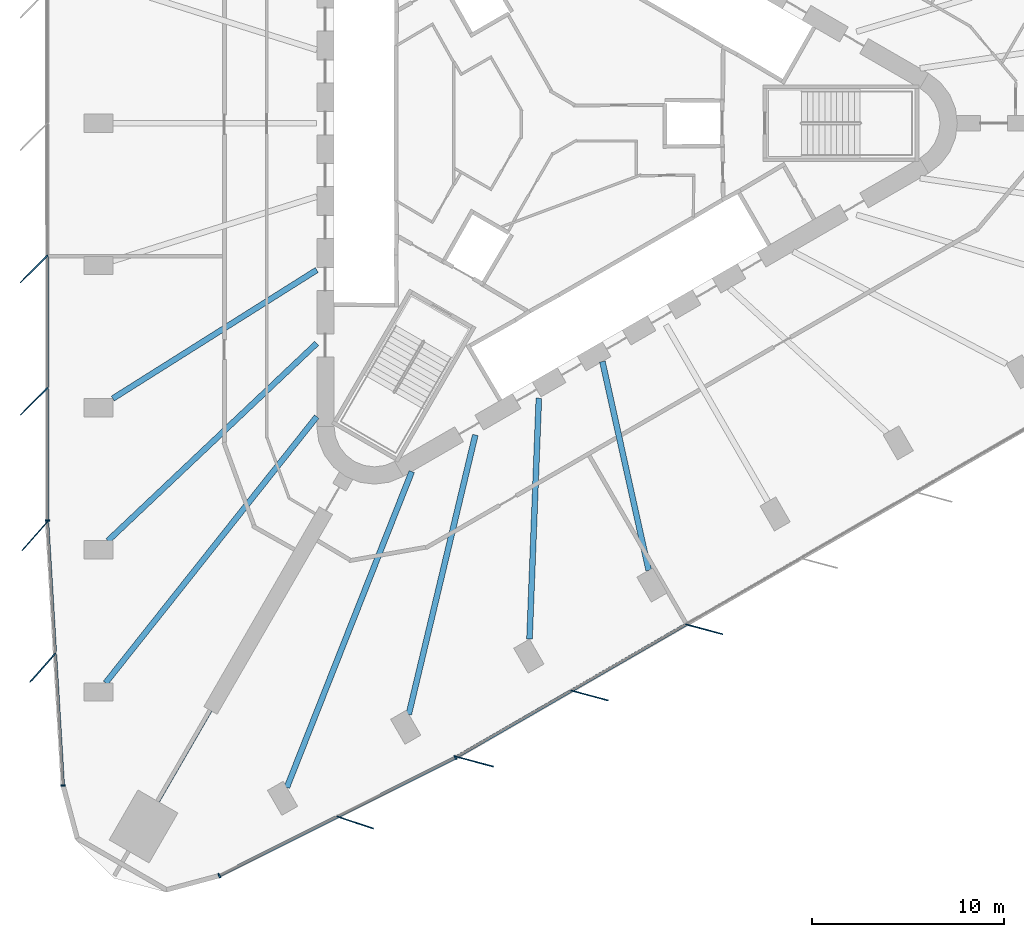
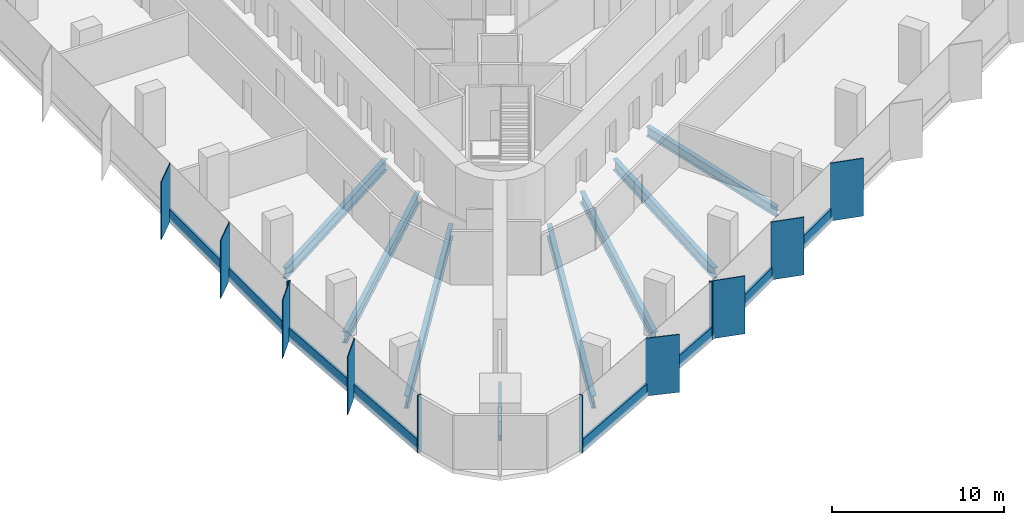
# One storey, part 2 of 14: 20 members, 8 beams, 4 elements without a shape of their own.
"""IFC4 building model written with IfcOpenShell, lengths in metres."""

from ifc_helpers import new_model, si_unit, direction, frame, origin, origin_2d, place, context, subcontext, project, spatial, rectangle, i_section, extrude, material, material_profile, profile_set, type_object, element, aggregate, save


model = new_model("IFC4")

# Units and contexts
model_context = context("Model", 3, precision=1e-05, world=origin(), true_north=direction((0.0, 1.0)))
body_context = subcontext(model_context, "Body", "Model", "MODEL_VIEW")
ifc_project = project(units=[si_unit("LENGTHUNIT", "METRE"), si_unit("AREAUNIT", "SQUARE_METRE"), si_unit("VOLUMEUNIT", "CUBIC_METRE"), si_unit("PLANEANGLEUNIT", "RADIAN"), si_unit("MASSUNIT", "GRAM", prefix="KILO")], contexts=[model_context])

# Site, building, storey
site_placement = place(None, origin())
site = spatial("IfcSite", under=ifc_project, at=site_placement, CompositionType="ELEMENT")
building_placement = place(site_placement, origin())
building = spatial("IfcBuilding", under=site, at=building_placement, Name="Tanit Gate Tower", CompositionType="ELEMENT")
storey_placement = place(building_placement, frame((0.0, 0.0, 49.60009765625)))
storey = spatial("IfcBuildingStorey", under=building, at=storey_placement, Name="L08", CompositionType="ELEMENT", Elevation=49.60009765625)

# Curtain wall, members
ifc_material_1 = material(Name="Aluminium bronze anodised and glass", Category="aluminium")
curtain_wall_type = type_object("IfcCurtainWallType", Name="Curtain wall typical low", PredefinedType="NOTDEFINED", material=ifc_material_1)
curtain_wall_1_placement = place(storey_placement, origin())
curtain_wall_1 = element("IfcCurtainWall", 1, at=curtain_wall_1_placement, inside=storey, type_object=curtain_wall_type, Name="Curtain wall L08 W2", PredefinedType="NOTDEFINED")
ifc_material_2 = material(Name="Aluminium bronze anodised", Category="aluminium")
ifc_material_profile_1 = material_profile(ifc_material_2, rectangle(XDim=2.0, YDim=0.055908203125, at=origin_2d()), Name="56x2000 bronze fin mullion")
ifc_profile_set_1 = profile_set([ifc_material_profile_1], Name="Aluminium bronze anodised")
member_type_1 = type_object("IfcMemberType", Name="FIN MULLION 56x2000 bronze", PredefinedType="MULLION", material=ifc_profile_set_1)
member_1_placement = place(storey_placement, frame((-26.799072265625, -7.572998046875, -0.300048828125), z_axis=(0.0, 0.0, 1.0), x_axis=(0.707057749571, 0.707155809403, 0.0)))
member_1 = element("IfcMember", 2, at=member_1_placement, type_object=member_type_1, Name="Fin mullion L08 W2.5", PredefinedType="MULLION", context=body_context, shape_type="SweptSolid", body=[
    extrude(rectangle(XDim=2.0, YDim=0.055908203125, at=origin_2d()), origin(), (0.0, 0.0, 1.0), 4.099853515625),
])
member_2_placement = place(storey_placement, frame((-26.798583984375, -14.45458984375, -0.300048828125), z_axis=(0.0, 0.0, 1.0), x_axis=(0.707057749571, 0.707155809403, 0.0)))
member_2 = element("IfcMember", 3, at=member_2_placement, type_object=member_type_1, Name="Fin mullion L08 W2.6", PredefinedType="MULLION", context=body_context, shape_type="SweptSolid", body=[
    extrude(rectangle(XDim=2.0, YDim=0.055908203125, at=origin_2d()), origin(), (0.0, 0.0, 1.0), 4.099853515625),
])

curtain_wall_2_placement = place(storey_placement, origin())
curtain_wall_2 = element("IfcCurtainWall", 4, at=curtain_wall_2_placement, inside=storey, type_object=curtain_wall_type, Name="Curtain wall L08 W3", PredefinedType="NOTDEFINED")
member_3_placement = place(storey_placement, frame((-26.753173828125, -21.456298828125, -0.300048828125), z_axis=(0.0, 0.0, 1.0), x_axis=(0.663702749837, 0.747996430378, 0.0)))
member_3 = element("IfcMember", 5, at=member_3_placement, type_object=member_type_1, Name="Fin mullion L08 W3.1", PredefinedType="MULLION", context=body_context, shape_type="SweptSolid", body=[
    extrude(rectangle(XDim=2.0, YDim=0.055908203125, at=origin_2d()), origin(), (0.0, 0.0, 1.0), 4.099853515625),
])
member_4_placement = place(storey_placement, frame((-26.34423828125, -28.3046875, -0.300048828125), z_axis=(0.0, 0.0, 1.0), x_axis=(0.663702749837, 0.747996430378, 0.0)))
member_4 = element("IfcMember", 6, at=member_4_placement, type_object=member_type_1, Name="Fin mullion L08 W3.2", PredefinedType="MULLION", context=body_context, shape_type="SweptSolid", body=[
    extrude(rectangle(XDim=2.0, YDim=0.055908203125, at=origin_2d()), origin(), (0.0, 0.0, 1.0), 4.099853515625),
])

# Curtain wall, member
curtain_wall_3_placement = place(storey_placement, origin())
curtain_wall_3 = element("IfcCurtainWall", 7, at=curtain_wall_3_placement, inside=storey, type_object=curtain_wall_type, Name="Curtain wall L08 SE1", PredefinedType="NOTDEFINED")
member_5_placement = place(storey_placement, frame((-10.103759765625, -36.35009765625, -0.300048828125), z_axis=(0.0, 0.0, 1.0), x_axis=(-0.94871615191, 0.316129187366, 0.0)))
member_5 = element("IfcMember", 8, at=member_5_placement, type_object=member_type_1, Name="Fin mullion L08 SE1.2", PredefinedType="MULLION", context=body_context, shape_type="SweptSolid", body=[
    extrude(rectangle(XDim=2.0, YDim=0.055908203125, at=origin_2d()), origin(), (0.0, 0.0, 1.0), 4.099853515625),
])

# Curtain wall, members
curtain_wall_4_placement = place(storey_placement, origin())
curtain_wall_4 = element("IfcCurtainWall", 9, at=curtain_wall_4_placement, inside=storey, type_object=curtain_wall_type, Name="Curtain wall L08 SE2", PredefinedType="NOTDEFINED")
member_6_placement = place(storey_placement, frame((-3.88037109375, -33.187255859375, -0.300048828125), z_axis=(0.0, 0.0, 1.0), x_axis=(-0.965943770162, 0.25875206837, 0.0)))
member_6 = element("IfcMember", 10, at=member_6_placement, type_object=member_type_1, Name="Fin mullion L08 SE2.1", PredefinedType="MULLION", context=body_context, shape_type="SweptSolid", body=[
    extrude(rectangle(XDim=2.0, YDim=0.055908203125, at=origin_2d()), origin(), (0.0, 0.0, 1.0), 4.099853515625),
])
member_7_placement = place(storey_placement, frame((2.0791015625, -29.74609375, -0.300048828125), z_axis=(0.0, 0.0, 1.0), x_axis=(-0.965943770162, 0.25875206837, 0.0)))
member_7 = element("IfcMember", 11, at=member_7_placement, type_object=member_type_1, Name="Fin mullion L08 SE2.2", PredefinedType="MULLION", context=body_context, shape_type="SweptSolid", body=[
    extrude(rectangle(XDim=2.0, YDim=0.055908203125, at=origin_2d()), origin(), (0.0, 0.0, 1.0), 4.099853515625),
])
member_8_placement = place(storey_placement, frame((8.038818359375, -26.3046875, -0.300048828125), z_axis=(0.0, 0.0, 1.0), x_axis=(-0.965943770162, 0.25875206837, 0.0)))
member_8 = element("IfcMember", 12, at=member_8_placement, type_object=member_type_1, Name="Fin mullion L08 SE2.3", PredefinedType="MULLION", context=body_context, shape_type="SweptSolid", body=[
    extrude(rectangle(XDim=2.0, YDim=0.055908203125, at=origin_2d()), origin(), (0.0, 0.0, 1.0), 4.099853515625),
])

# Member
ifc_material_3 = material(Name="Aluminium bronze anodised", Category="aluminium")
ifc_material_profile_2 = material_profile(ifc_material_3, rectangle(XDim=0.239990234375, YDim=0.080078125, at=origin_2d()), Name="80x240 bronze mullion")
ifc_profile_set_2 = profile_set([ifc_material_profile_2], Name="Aluminium bronze anodised")
member_type_2 = type_object("IfcMemberType", Name="Mullion 80x240 typical low", PredefinedType="MULLION", material=ifc_profile_set_2)
member_9_placement = place(storey_placement, frame((-26.10693359375, -20.645263671875, -0.300048828125), z_axis=(0.0, 0.0, 1.0), x_axis=(0.999999997596, 6.9338772e-05, 0.0)))
member_9 = element("IfcMember", 13, at=member_9_placement, type_object=member_type_2, Name="Mullion L08 W2.7", PredefinedType="MULLION", context=body_context, shape_type="SweptSolid", body=[
    extrude(rectangle(XDim=0.239990234375, YDim=0.080078125, at=origin_2d()), origin(), (0.0, 0.0, 1.0), 4.099853515625),
])

member_10_placement = place(storey_placement, frame((-25.28662109375, -34.422119140625, -0.300048828125), z_axis=(0.0, 0.0, 1.0), x_axis=(0.998222063326, 0.059604633121, 0.0)))
member_10 = element("IfcMember", 14, at=member_10_placement, type_object=member_type_2, Name="Mullion L08 W3.3", PredefinedType="MULLION", context=body_context, shape_type="SweptSolid", body=[
    extrude(rectangle(XDim=0.239990234375, YDim=0.080078125, at=origin_2d()), origin(), (0.0, 0.0, 1.0), 4.099853515625),
])

member_11_placement = place(storey_placement, frame((-17.167236328125, -39.110107421875, -0.300048828125), z_axis=(0.0, 0.0, 1.0), x_axis=(-0.44730653232, 0.894380716554, 0.0)))
member_11 = element("IfcMember", 15, at=member_11_placement, type_object=member_type_2, Name="Mullion L08 SE1.1", PredefinedType="MULLION", context=body_context, shape_type="SweptSolid", body=[
    extrude(rectangle(XDim=0.239990234375, YDim=0.080078125, at=origin_2d()), origin(), (0.0, 0.0, 1.0), 4.099853515625),
])

member_12_placement = place(storey_placement, frame((-4.894775390625, -32.972412109375, -0.300048828125), z_axis=(0.0, 0.0, 1.0), x_axis=(-0.44730653232, 0.894380716554, 0.0)))
member_12 = element("IfcMember", 16, at=member_12_placement, type_object=member_type_2, Name="Mullion L08 SE1.3", PredefinedType="MULLION", context=body_context, shape_type="SweptSolid", body=[
    extrude(rectangle(XDim=0.239990234375, YDim=0.080078125, at=origin_2d()), origin(), (0.0, 0.0, 1.0), 4.099853515625),
])

# Beams
ifc_material_4 = material(Name="Steel S355", Category="steel")
ifc_material_profile_3 = material_profile(ifc_material_4, i_section(OverallWidth=0.300048828125, OverallDepth=0.68994140625, WebThickness=0.014404296875, FlangeThickness=0.027099609375, FilletRadius=0.027099609375, at=origin_2d()), Name="HEA 700")
ifc_profile_set_3 = profile_set([ifc_material_profile_3], Name="Steel S355")
beam_type_1 = type_object("IfcBeamType", Name="RADIAL GIRDER HEA 700 S355", PredefinedType="BEAM", material=ifc_profile_set_3)
beam_1_placement = place(storey_placement, frame((5.1552734375, -23.2392578125, -0.64501953125), z_axis=(-0.216567644873, 0.976267614537, 0.0), x_axis=(-0.976267614537, -0.216567644873, 0.0)))
element("IfcBeam", 17, at=beam_1_placement, inside=storey, type_object=beam_type_1, Name="RADIAL GIRDER", PredefinedType="BEAM", context=body_context, shape_type="SweptSolid", body=[
    extrude(i_section(OverallWidth=0.300048828125, OverallDepth=0.68994140625, WebThickness=0.014404296875, FlangeThickness=0.027099609375, FilletRadius=0.027099609375, at=origin_2d()), origin(), (0.0, 0.0, 1.0), 11.115234375),
])
ifc_material_5 = material(Name="Steel S355", Category="steel")
ifc_material_profile_4 = material_profile(ifc_material_5, i_section(OverallWidth=0.300048828125, OverallDepth=0.7900390625, WebThickness=0.014892578125, FlangeThickness=0.028076171875, FilletRadius=0.030029296875, at=origin_2d()), Name="HEA 800")
ifc_profile_set_4 = profile_set([ifc_material_profile_4], Name="Steel S355")
beam_type_2 = type_object("IfcBeamType", Name="RADIAL GIRDER HEA 800 S355", PredefinedType="BEAM", material=ifc_profile_set_4)
beam_2_placement = place(storey_placement, frame((-22.703369140625, -14.310302734375, -0.695068359375), z_axis=(0.845964004255, 0.533240005537, 0.0), x_axis=(-0.533240005537, 0.845964004255, 0.0)))
element("IfcBeam", 18, at=beam_2_placement, inside=storey, type_object=beam_type_2, Name="RADIAL GIRDER", PredefinedType="BEAM", context=body_context, shape_type="SweptSolid", body=[
    extrude(i_section(OverallWidth=0.300048828125, OverallDepth=0.7900390625, WebThickness=0.014892578125, FlangeThickness=0.028076171875, FilletRadius=0.030029296875, at=origin_2d()), origin(), (0.0, 0.0, 1.0), 12.53173828125),
])
beam_3_placement = place(storey_placement, frame((-22.950927734375, -21.69921875, -0.695068359375), z_axis=(0.726639827007, 0.687018603683, 0.0), x_axis=(-0.687018603683, 0.726639827007, 0.0)))
element("IfcBeam", 19, at=beam_3_placement, inside=storey, type_object=beam_type_2, Name="RADIAL GIRDER", PredefinedType="BEAM", context=body_context, shape_type="SweptSolid", body=[
    extrude(i_section(OverallWidth=0.300048828125, OverallDepth=0.7900390625, WebThickness=0.014892578125, FlangeThickness=0.028076171875, FilletRadius=0.030029296875, at=origin_2d()), origin(), (0.0, 0.0, 1.0), 14.93017578125),
])
beam_4_placement = place(storey_placement, frame((-7.316650390625, -30.725830078125, -0.695068359375), z_axis=(0.231658845557, 0.972797090495, 0.0), x_axis=(-0.972797090495, 0.231658845557, 0.0)))
element("IfcBeam", 20, at=beam_4_placement, inside=storey, type_object=beam_type_2, Name="RADIAL GIRDER", PredefinedType="BEAM", context=body_context, shape_type="SweptSolid", body=[
    extrude(i_section(OverallWidth=0.300048828125, OverallDepth=0.7900390625, WebThickness=0.014892578125, FlangeThickness=0.028076171875, FilletRadius=0.030029296875, at=origin_2d()), origin(), (0.0, 0.0, 1.0), 14.930419921875),
])
beam_5_placement = place(storey_placement, frame((-1.041259765625, -26.81689453125, -0.695068359375), z_axis=(0.038788513733, 0.99924744243, 0.0), x_axis=(-0.99924744243, 0.038788513733, 0.0)))
element("IfcBeam", 21, at=beam_5_placement, inside=storey, type_object=beam_type_2, Name="RADIAL GIRDER", PredefinedType="BEAM", context=body_context, shape_type="SweptSolid", body=[
    extrude(i_section(OverallWidth=0.300048828125, OverallDepth=0.7900390625, WebThickness=0.014892578125, FlangeThickness=0.028076171875, FilletRadius=0.030029296875, at=origin_2d()), origin(), (0.0, 0.0, 1.0), 12.53173828125),
])
ifc_material_6 = material(Name="Steel S355", Category="steel")
ifc_material_profile_5 = material_profile(ifc_material_6, i_section(OverallWidth=0.300048828125, OverallDepth=0.889892578125, WebThickness=0.01611328125, FlangeThickness=0.030029296875, FilletRadius=0.030029296875, at=origin_2d()), Name="HEA 900")
ifc_profile_set_5 = profile_set([ifc_material_profile_5], Name="Steel S355")
beam_type_3 = type_object("IfcBeamType", Name="RADIAL GIRDER HEA 900 S355", PredefinedType="BEAM", material=ifc_profile_set_5)
for number, where, z_axis, x_axis, name in (
    (22, (-23.07666015625, -29.0908203125, -0.7451171875), (0.621472845829, 0.783435703742, 0.0), (-0.783435703742, 0.621472845829, 0.0), "RADIAL GIRDER"),
    (23, (-13.655029296875, -34.5302734375, -0.7451171875), (0.36773841244, 0.929929276889, 0.0), (-0.929929276889, 0.36773841244, 0.0), "RADIAL GIRDER"),
):
    element("IfcBeam", number, at=place(storey_placement, frame(where, z_axis=z_axis, x_axis=x_axis)), inside=storey, type_object=beam_type_3, Name=name, PredefinedType="BEAM", context=body_context, shape_type="SweptSolid", body=[
        extrude(i_section(OverallWidth=0.300048828125, OverallDepth=0.889892578125, WebThickness=0.01611328125, FlangeThickness=0.030029296875, FilletRadius=0.030029296875, at=origin_2d()), origin(), (0.0, 0.0, 1.0), 17.658935546875),
    ])
ifc_material_7 = material(Name="Steel S355", Category="steel")
ifc_material_profile_6 = material_profile(ifc_material_7, i_section(OverallWidth=0.179931640625, OverallDepth=0.39990234375, WebThickness=0.008544921875, FlangeThickness=0.013427734375, FilletRadius=0.02099609375, at=origin_2d()), Name="IPE 400")
ifc_profile_set_6 = profile_set([ifc_material_profile_6], Name="Steel S355")
beam_type_4 = type_object("IfcBeamType", Name="RADIAL GIRDER IPE 400 S355", PredefinedType="BEAM", material=ifc_profile_set_6)
beam_6_placement = place(storey_placement, frame((-20.355712890625, -35.257080078125, -0.5), z_axis=(0.500017734461, 0.866015164547, 0.0), x_axis=(-0.866015164547, 0.500017734461, 0.0)))
element("IfcBeam", 24, at=beam_6_placement, inside=storey, type_object=beam_type_4, Name="RADIAL GIRDER", PredefinedType="BEAM", context=body_context, shape_type="SweptSolid", body=[
    extrude(i_section(OverallWidth=0.179931640625, OverallDepth=0.39990234375, WebThickness=0.008544921875, FlangeThickness=0.013427734375, FilletRadius=0.02099609375, at=origin_2d()), origin(), (0.0, 0.0, 1.0), 5.463134765625),
])

# Member
ifc_material_8 = material(Name="Aluminium bronze anodised", Category="aluminium")
ifc_material_profile_7 = material_profile(ifc_material_8, rectangle(XDim=0.159912109375, YDim=0.89990234375, at=origin_2d()), Name="160x900 bronze transom")
ifc_profile_set_7 = profile_set([ifc_material_profile_7], Name="Aluminium bronze anodised")
member_type_3 = type_object("IfcMemberType", Name="Transom 160x900 typical low", PredefinedType="USERDEFINED", material=ifc_profile_set_7)
member_13_placement = place(storey_placement, frame((-26.10791015625, -6.921630859375, 0.14990234375), z_axis=(7.1784932e-05, -0.999999997423, 0.0), x_axis=(0.999999997423, 7.1784932e-05, 0.0)))
member_13 = element("IfcMember", 25, at=member_13_placement, type_object=member_type_3, Name="Transom L08 W2.5", ObjectType="TRANSOM", PredefinedType="USERDEFINED", context=body_context, shape_type="SweptSolid", body=[
    extrude(rectangle(XDim=0.159912109375, YDim=0.89990234375, at=origin_2d()), origin(), (0.0, 0.0, 1.0), 6.802001953125),
])

member_14_placement = place(storey_placement, frame((-26.107421875, -13.803466796875, 0.14990234375), z_axis=(7.1787509e-05, -0.999999997423, 0.0), x_axis=(0.999999997423, 7.1787509e-05, 0.0)))
member_14 = element("IfcMember", 26, at=member_14_placement, type_object=member_type_3, Name="Transom L08 W2.6", ObjectType="TRANSOM", PredefinedType="USERDEFINED", context=body_context, shape_type="SweptSolid", body=[
    extrude(rectangle(XDim=0.159912109375, YDim=0.89990234375, at=origin_2d()), origin(), (0.0, 0.0, 1.0), 6.8017578125),
])

aggregate(curtain_wall_1, [member_1, member_2, member_9, member_13, member_14])

member_15_placement = place(storey_placement, frame((-26.102294921875, -20.76513671875, 0.14990234375), z_axis=(0.059625367417, -0.998220825048, 0.0), x_axis=(0.998220825048, 0.059625367417, 0.0)))
member_15 = element("IfcMember", 27, at=member_15_placement, type_object=member_type_3, Name="Transom L08 W3.1", ObjectType="TRANSOM", PredefinedType="USERDEFINED", context=body_context, shape_type="SweptSolid", body=[
    extrude(rectangle(XDim=0.159912109375, YDim=0.89990234375, at=origin_2d()), origin(), (0.0, 0.0, 1.0), 6.780517578125),
])

member_16_placement = place(storey_placement, frame((-25.693359375, -27.613525390625, 0.14990234375), z_axis=(0.059623224463, -0.998220953048, 0.0), x_axis=(0.998220953048, 0.059623224463, 0.0)))
member_16 = element("IfcMember", 28, at=member_16_placement, type_object=member_type_3, Name="Transom L08 W3.2", ObjectType="TRANSOM", PredefinedType="USERDEFINED", context=body_context, shape_type="SweptSolid", body=[
    extrude(rectangle(XDim=0.159912109375, YDim=0.89990234375, at=origin_2d()), origin(), (0.0, 0.0, 1.0), 6.78076171875),
])

aggregate(curtain_wall_2, [member_3, member_4, member_10, member_15, member_16])

member_17_placement = place(storey_placement, frame((-17.13134765625, -39.09228515625, 0.14990234375), z_axis=(0.894376779639, 0.447314404019, 0.0), x_axis=(-0.447314404019, 0.894376779639, 0.0)))
member_17 = element("IfcMember", 29, at=member_17_placement, type_object=member_type_3, Name="Transom L08 SE1.1", ObjectType="TRANSOM", PredefinedType="USERDEFINED", context=body_context, shape_type="SweptSolid", body=[
    extrude(rectangle(XDim=0.159912109375, YDim=0.89990234375, at=origin_2d()), origin(), (0.0, 0.0, 1.0), 6.781005859375),
])

member_18_placement = place(storey_placement, frame((-10.9951171875, -36.023193359375, 0.14990234375), z_axis=(0.89438397987, 0.447300007324, 0.0), x_axis=(-0.447300007324, 0.89438397987, 0.0)))
member_18 = element("IfcMember", 30, at=member_18_placement, type_object=member_type_3, Name="Transom L08 SE1.2", ObjectType="TRANSOM", PredefinedType="USERDEFINED", context=body_context, shape_type="SweptSolid", body=[
    extrude(rectangle(XDim=0.159912109375, YDim=0.89990234375, at=origin_2d()), origin(), (0.0, 0.0, 1.0), 6.780517578125),
])

aggregate(curtain_wall_3, [member_11, member_5, member_12, member_17, member_18])

member_19_placement = place(storey_placement, frame((-4.789794921875, -32.914306640625, 0.14990234375), z_axis=(0.866005663404, 0.500034189783, 0.0), x_axis=(-0.500034189783, 0.866005663404, 0.0)))
member_19 = element("IfcMember", 31, at=member_19_placement, type_object=member_type_3, Name="Transom L08 SE2.1", ObjectType="TRANSOM", PredefinedType="USERDEFINED", context=body_context, shape_type="SweptSolid", body=[
    extrude(rectangle(XDim=0.159912109375, YDim=0.89990234375, at=origin_2d()), origin(), (0.0, 0.0, 1.0), 6.8017578125),
])

member_20_placement = place(storey_placement, frame((1.169921875, -29.47314453125, 0.14990234375), z_axis=(0.865981144299, 0.500076651843, 0.0), x_axis=(-0.500076651843, 0.865981144299, 0.0)))
member_20 = element("IfcMember", 32, at=member_20_placement, type_object=member_type_3, Name="Transom L08 SE2.2", ObjectType="TRANSOM", PredefinedType="USERDEFINED", context=body_context, shape_type="SweptSolid", body=[
    extrude(rectangle(XDim=0.159912109375, YDim=0.89990234375, at=origin_2d()), origin(), (0.0, 0.0, 1.0), 6.8017578125),
])

aggregate(curtain_wall_4, [member_6, member_7, member_8, member_19, member_20])

save(model, "model.ifc")
